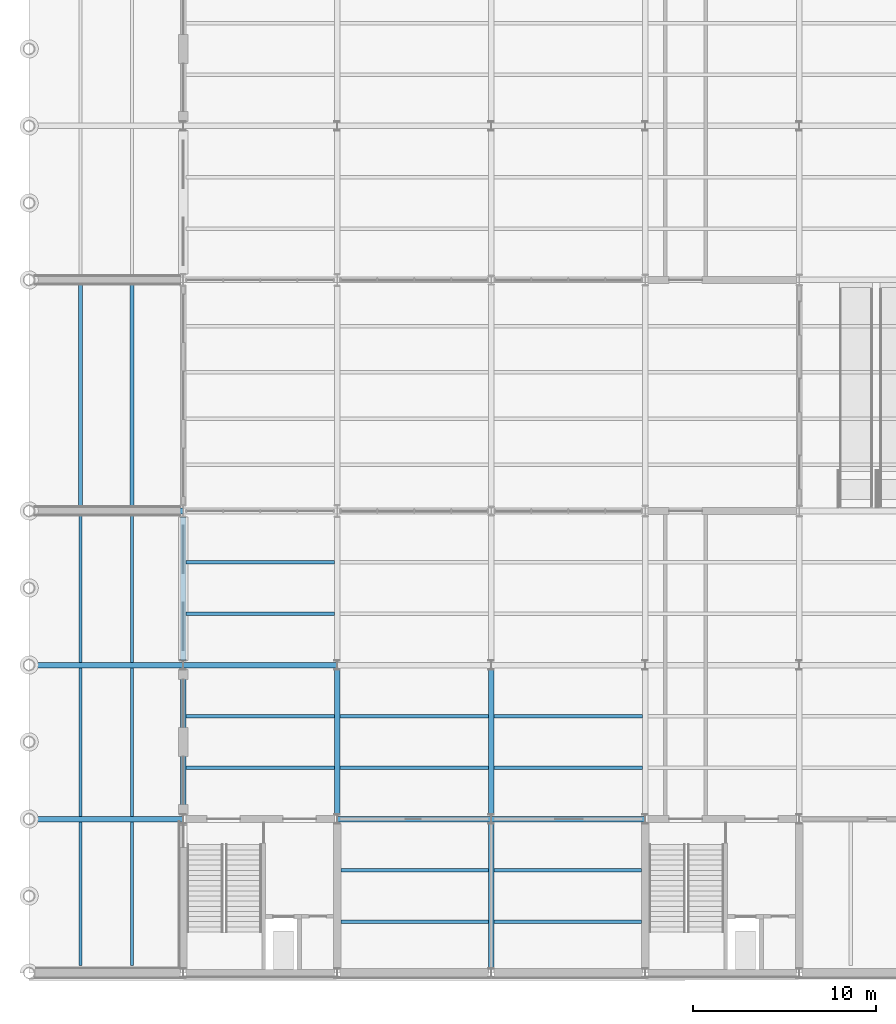
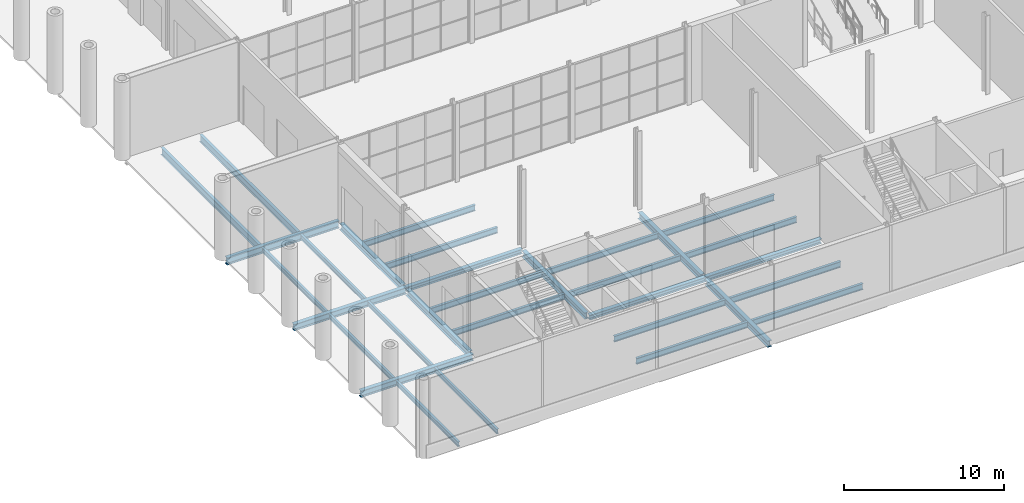
# One storey, part 9 of 55: 31 beams.
"""IFC4 building model written with IfcOpenShell, lengths in metres."""

from ifc_helpers import new_model, si_unit, direction, frame, origin, origin_2d, place, context, subcontext, project, spatial, i_section, extrude, material, material_profile, profile_set, type_object, element, save


model = new_model("IFC4")

# Units and contexts
model_context = context("Model", 3, precision=1e-05, world=origin(), true_north=direction((0.0, 1.0)))
body_context = subcontext(model_context, "Body", "Model", "MODEL_VIEW")
ifc_project = project(units=[si_unit("LENGTHUNIT", "METRE"), si_unit("AREAUNIT", "SQUARE_METRE"), si_unit("VOLUMEUNIT", "CUBIC_METRE"), si_unit("PLANEANGLEUNIT", "RADIAN"), si_unit("MASSUNIT", "GRAM", prefix="KILO")], contexts=[model_context])

# Site, building, storey
site_placement = place(None, origin())
site = spatial("IfcSite", under=ifc_project, at=site_placement, CompositionType="ELEMENT")
building_placement = place(site_placement, origin())
building = spatial("IfcBuilding", under=site, at=building_placement, Name="Galleria Vessillo Department Store", CompositionType="ELEMENT")
storey_placement = place(building_placement, origin())
storey = spatial("IfcBuildingStorey", under=building, at=storey_placement, Name="L00", CompositionType="ELEMENT", Elevation=0.0)

# Beams
ifc_material_1 = material(Name="Steel S355 J2", Category="steel")
ifc_material_profile_1 = material_profile(ifc_material_1, i_section(OverallWidth=0.300048828125, OverallDepth=0.489990234375, WebThickness=0.011962890625, FlangeThickness=0.02294921875, FilletRadius=0.027099609375, at=origin_2d()), Name="HEA 500")
ifc_profile_set_1 = profile_set([ifc_material_profile_1], Name="Steel S355 J2")
beam_type_1 = type_object("IfcBeamType", Name="Floor girder HEA 500", PredefinedType="BEAM", material=ifc_profile_set_1)
for number, where, z_axis, x_axis, name in (
    (1, (0.250244140625, 8.39990234375, -0.39501953125), (1.0, 0.0, 0.0), (0.0, 1.0, 0.0), "S-BM-L00-GI-x8400-250"),
    (2, (0.250244140625, 16.800048828125, -0.39501953125), (1.0, 0.0, 0.0), (0.0, 1.0, 0.0), "S-BM-L00-GI-x16800-250"),
):
    element("IfcBeam", number, at=place(storey_placement, frame(where, z_axis=z_axis, x_axis=x_axis)), inside=storey, type_object=beam_type_1, Name=name, PredefinedType="BEAM", context=body_context, shape_type="SweptSolid", body=[
        extrude(i_section(OverallWidth=0.300048828125, OverallDepth=0.489990234375, WebThickness=0.011962890625, FlangeThickness=0.02294921875, FilletRadius=0.027099609375, at=origin_2d()), origin(), (0.0, 0.0, 1.0), 8.142333984375),
    ])
beam_1_placement = place(storey_placement, frame((8.39990234375, 8.650146484375, -0.39501953125), z_axis=(0.0, 1.0, 0.0), x_axis=(-1.0, 0.0, 0.0)))
element("IfcBeam", 3, at=beam_1_placement, inside=storey, type_object=beam_type_1, Name="S-BM-L00-GI-y8400-8650", PredefinedType="BEAM", context=body_context, shape_type="SweptSolid", body=[
    extrude(i_section(OverallWidth=0.300048828125, OverallDepth=0.489990234375, WebThickness=0.011962890625, FlangeThickness=0.02294921875, FilletRadius=0.027099609375, at=origin_2d()), origin(), (0.0, 0.0, 1.0), 7.899658203125),
])
beam_2_placement = place(storey_placement, frame((8.39990234375, 17.050048828125, -0.39501953125), z_axis=(0.0, 1.0, 0.0), x_axis=(-1.0, 0.0, 0.0)))
element("IfcBeam", 4, at=beam_2_placement, inside=storey, type_object=beam_type_1, Name="S-BM-L00-GI-y8400-17050", PredefinedType="BEAM", context=body_context, shape_type="SweptSolid", body=[
    extrude(i_section(OverallWidth=0.300048828125, OverallDepth=0.489990234375, WebThickness=0.011962890625, FlangeThickness=0.02294921875, FilletRadius=0.027099609375, at=origin_2d()), origin(), (0.0, 0.0, 1.0), 7.81591796875),
])
for number, where, z_axis, x_axis, name in (
    (5, (16.800048828125, 8.650146484375, -0.39501953125), (0.0, 1.0, 0.0), (-1.0, 0.0, 0.0), "S-BM-L00-GI-y16800-8650"),
    (6, (25.199951171875, 0.250244140625, -0.39501953125), (0.0, 1.0, 0.0), (-1.0, 0.0, 0.0), "S-BM-L00-GI-y25200-250"),
    (7, (25.199951171875, 8.650146484375, -0.39501953125), (0.0, 1.0, 0.0), (-1.0, 0.0, 0.0), "S-BM-L00-GI-y25200-8650"),
):
    element("IfcBeam", number, at=place(storey_placement, frame(where, z_axis=z_axis, x_axis=x_axis)), inside=storey, type_object=beam_type_1, Name=name, PredefinedType="BEAM", context=body_context, shape_type="SweptSolid", body=[
        extrude(i_section(OverallWidth=0.300048828125, OverallDepth=0.489990234375, WebThickness=0.011962890625, FlangeThickness=0.02294921875, FilletRadius=0.027099609375, at=origin_2d()), origin(), (0.0, 0.0, 1.0), 7.899658203125),
    ])
ifc_material_2 = material(Name="Steel S355 J2", Category="steel")
ifc_material_profile_2 = material_profile(ifc_material_2, i_section(OverallWidth=0.300048828125, OverallDepth=0.5400390625, WebThickness=0.012451171875, FlangeThickness=0.02392578125, FilletRadius=0.027099609375, at=origin_2d()), Name="HEA 550")
ifc_profile_set_2 = profile_set([ifc_material_profile_2], Name="Steel S355 J2")
beam_type_2 = type_object("IfcBeamType", Name="Floor girder HEA 550", PredefinedType="BEAM", material=ifc_profile_set_2)
beam_3_placement = place(storey_placement, frame((0.250244140625, 25.199951171875, -0.419921875), z_axis=(1.0, 0.0, 0.0), x_axis=(0.0, 1.0, 0.0)))
element("IfcBeam", 8, at=beam_3_placement, inside=storey, type_object=beam_type_2, Name="S-BM-L00-GI-x25200-250", PredefinedType="BEAM", context=body_context, shape_type="SweptSolid", body=[
    extrude(i_section(OverallWidth=0.300048828125, OverallDepth=0.5400390625, WebThickness=0.012451171875, FlangeThickness=0.02392578125, FilletRadius=0.027099609375, at=origin_2d()), origin(), (0.0, 0.0, 1.0), 8.13916015625),
])
ifc_material_3 = material(Name="Steel S355 J2", Category="steel")
ifc_material_profile_3 = material_profile(ifc_material_3, i_section(OverallWidth=0.169921875, OverallDepth=0.360107421875, WebThickness=0.008056640625, FlangeThickness=0.0126953125, FilletRadius=0.01806640625, at=origin_2d()), Name="IPE 360")
ifc_profile_set_3 = profile_set([ifc_material_profile_3], Name="Steel S355 J2")
beam_type_3 = type_object("IfcBeamType", Name="Floor joist IPE 360", PredefinedType="JOIST", material=ifc_profile_set_3)
for number, where, z_axis, x_axis, name in (
    (9, (2.800048828125, 0.400146484375, -0.329833984375), (0.0, 1.0, 0.0), (-1.0, 0.0, 0.0), "S-BM-L00-JO-y2800-400"),
    (10, (5.60009765625, 0.400146484375, -0.329833984375), (0.0, 1.0, 0.0), (-1.0, 0.0, 0.0), "S-BM-L00-JO-y5600-400"),
):
    element("IfcBeam", number, at=place(storey_placement, frame(where, z_axis=z_axis, x_axis=x_axis)), inside=storey, type_object=beam_type_3, Name=name, PredefinedType="JOIST", context=body_context, shape_type="SweptSolid", body=[
        extrude(i_section(OverallWidth=0.169921875, OverallDepth=0.360107421875, WebThickness=0.008056640625, FlangeThickness=0.0126953125, FilletRadius=0.01806640625, at=origin_2d()), origin(), (0.0, 0.0, 1.0), 7.849609375),
    ])
for number, where, z_axis, x_axis, name in (
    (11, (2.800048828125, 8.550048828125, -0.329833984375), (0.0, 1.0, 0.0), (-1.0, 0.0, 0.0), "S-BM-L00-JO-y2800-8550"),
    (12, (5.60009765625, 8.550048828125, -0.329833984375), (0.0, 1.0, 0.0), (-1.0, 0.0, 0.0), "S-BM-L00-JO-y5600-8550"),
):
    element("IfcBeam", number, at=place(storey_placement, frame(where, z_axis=z_axis, x_axis=x_axis)), inside=storey, type_object=beam_type_3, Name=name, PredefinedType="JOIST", context=body_context, shape_type="SweptSolid", body=[
        extrude(i_section(OverallWidth=0.169921875, OverallDepth=0.360107421875, WebThickness=0.008056640625, FlangeThickness=0.0126953125, FilletRadius=0.01806640625, at=origin_2d()), origin(), (0.0, 0.0, 1.0), 8.099853515625),
    ])
for number, where, z_axis, x_axis, name in (
    (13, (2.800048828125, 16.9501953125, -0.329833984375), (0.0, 1.0, 0.0), (-1.0, 0.0, 0.0), "S-BM-L00-JO-y2800-16950"),
    (14, (5.60009765625, 16.9501953125, -0.329833984375), (0.0, 1.0, 0.0), (-1.0, 0.0, 0.0), "S-BM-L00-JO-y5600-16950"),
):
    element("IfcBeam", number, at=place(storey_placement, frame(where, z_axis=z_axis, x_axis=x_axis)), inside=storey, type_object=beam_type_3, Name=name, PredefinedType="JOIST", context=body_context, shape_type="SweptSolid", body=[
        extrude(i_section(OverallWidth=0.169921875, OverallDepth=0.360107421875, WebThickness=0.008056640625, FlangeThickness=0.0126953125, FilletRadius=0.01806640625, at=origin_2d()), origin(), (0.0, 0.0, 1.0), 8.099609375),
    ])
ifc_material_4 = material(Name="Steel S355 J2", Category="steel")
ifc_material_profile_4 = material_profile(ifc_material_4, i_section(OverallWidth=0.18994140625, OverallDepth=0.449951171875, WebThickness=0.009521484375, FlangeThickness=0.0146484375, FilletRadius=0.02099609375, at=origin_2d()), Name="IPE 450")
ifc_profile_set_4 = profile_set([ifc_material_profile_4], Name="Steel S355 J2")
beam_type_4 = type_object("IfcBeamType", Name="Floor joist IPE 450", PredefinedType="JOIST", material=ifc_profile_set_4)
for number, where, z_axis, x_axis, name in (
    (15, (8.550048828125, 11.199951171875, -0.375), (1.0, 0.0, 0.0), (0.0, 1.0, 0.0), "S-BM-L00-JO-x11200-8550"),
    (16, (8.550048828125, 14.0, -0.375), (1.0, 0.0, 0.0), (0.0, 1.0, 0.0), "S-BM-L00-JO-x14000-8550"),
    (17, (8.550048828125, 19.60009765625, -0.375), (1.0, 0.0, 0.0), (0.0, 1.0, 0.0), "S-BM-L00-JO-x19600-8550"),
    (18, (8.550048828125, 22.39990234375, -0.375), (1.0, 0.0, 0.0), (0.0, 1.0, 0.0), "S-BM-L00-JO-x22400-8550"),
):
    element("IfcBeam", number, at=place(storey_placement, frame(where, z_axis=z_axis, x_axis=x_axis)), inside=storey, type_object=beam_type_4, Name=name, PredefinedType="JOIST", context=body_context, shape_type="SweptSolid", body=[
        extrude(i_section(OverallWidth=0.18994140625, OverallDepth=0.449951171875, WebThickness=0.009521484375, FlangeThickness=0.0146484375, FilletRadius=0.02099609375, at=origin_2d()), origin(), (0.0, 0.0, 1.0), 8.099853515625),
    ])
for number, where, z_axis, x_axis, name in (
    (19, (17.000244140625, 2.800048828125, -0.375), (1.0, 0.0, 0.0), (0.0, 1.0, 0.0), "S-BM-L00-JO-x2800-17000"),
    (20, (17.000244140625, 5.60009765625, -0.375), (1.0, 0.0, 0.0), (0.0, 1.0, 0.0), "S-BM-L00-JO-x5600-17000"),
):
    element("IfcBeam", number, at=place(storey_placement, frame(where, z_axis=z_axis, x_axis=x_axis)), inside=storey, type_object=beam_type_4, Name=name, PredefinedType="JOIST", context=body_context, shape_type="SweptSolid", body=[
        extrude(i_section(OverallWidth=0.18994140625, OverallDepth=0.449951171875, WebThickness=0.009521484375, FlangeThickness=0.0146484375, FilletRadius=0.02099609375, at=origin_2d()), origin(), (0.0, 0.0, 1.0), 8.049560546875),
    ])
for number, where, z_axis, x_axis, name in (
    (21, (16.9501953125, 11.199951171875, -0.375), (1.0, 0.0, 0.0), (0.0, 1.0, 0.0), "S-BM-L00-JO-x11200-16950"),
    (22, (16.9501953125, 14.0, -0.375), (1.0, 0.0, 0.0), (0.0, 1.0, 0.0), "S-BM-L00-JO-x14000-16950"),
):
    element("IfcBeam", number, at=place(storey_placement, frame(where, z_axis=z_axis, x_axis=x_axis)), inside=storey, type_object=beam_type_4, Name=name, PredefinedType="JOIST", context=body_context, shape_type="SweptSolid", body=[
        extrude(i_section(OverallWidth=0.18994140625, OverallDepth=0.449951171875, WebThickness=0.009521484375, FlangeThickness=0.0146484375, FilletRadius=0.02099609375, at=origin_2d()), origin(), (0.0, 0.0, 1.0), 8.099609375),
    ])
for number, where, z_axis, x_axis, name in (
    (23, (25.35009765625, 2.800048828125, -0.375), (1.0, 0.0, 0.0), (0.0, 1.0, 0.0), "S-BM-L00-JO-x2800-25350"),
    (24, (25.35009765625, 5.60009765625, -0.375), (1.0, 0.0, 0.0), (0.0, 1.0, 0.0), "S-BM-L00-JO-x5600-25350"),
):
    element("IfcBeam", number, at=place(storey_placement, frame(where, z_axis=z_axis, x_axis=x_axis)), inside=storey, type_object=beam_type_4, Name=name, PredefinedType="JOIST", context=body_context, shape_type="SweptSolid", body=[
        extrude(i_section(OverallWidth=0.18994140625, OverallDepth=0.449951171875, WebThickness=0.009521484375, FlangeThickness=0.0146484375, FilletRadius=0.02099609375, at=origin_2d()), origin(), (0.0, 0.0, 1.0), 8.0498046875),
    ])
for number, where, z_axis, x_axis, name in (
    (25, (25.35009765625, 11.199951171875, -0.375), (1.0, 0.0, 0.0), (0.0, 1.0, 0.0), "S-BM-L00-JO-x11200-25350"),
    (26, (25.35009765625, 14.0, -0.375), (1.0, 0.0, 0.0), (0.0, 1.0, 0.0), "S-BM-L00-JO-x14000-25350"),
):
    element("IfcBeam", number, at=place(storey_placement, frame(where, z_axis=z_axis, x_axis=x_axis)), inside=storey, type_object=beam_type_4, Name=name, PredefinedType="JOIST", context=body_context, shape_type="SweptSolid", body=[
        extrude(i_section(OverallWidth=0.18994140625, OverallDepth=0.449951171875, WebThickness=0.009521484375, FlangeThickness=0.0146484375, FilletRadius=0.02099609375, at=origin_2d()), origin(), (0.0, 0.0, 1.0), 8.099853515625),
    ])
ifc_material_5 = material(Name="Steel S355 J2", Category="steel")
ifc_material_profile_5 = material_profile(ifc_material_5, i_section(OverallWidth=0.2099609375, OverallDepth=0.550048828125, WebThickness=0.010986328125, FlangeThickness=0.01708984375, FilletRadius=0.02392578125, at=origin_2d()), Name="IPE 550")
ifc_profile_set_5 = profile_set([ifc_material_profile_5], Name="Steel S355 J2")
beam_type_5 = type_object("IfcBeamType", Name="Floor joist IPE 550", PredefinedType="JOIST", material=ifc_profile_set_5)
for number, where, z_axis, x_axis, name in (
    (27, (2.800048828125, 25.35009765625, -0.4248046875), (0.0, 1.0, 0.0), (-1.0, 0.0, 0.0), "S-BM-L00-JO-y2800-25350"),
    (28, (5.60009765625, 25.35009765625, -0.4248046875), (0.0, 1.0, 0.0), (-1.0, 0.0, 0.0), "S-BM-L00-JO-y5600-25350"),
):
    element("IfcBeam", number, at=place(storey_placement, frame(where, z_axis=z_axis, x_axis=x_axis)), inside=storey, type_object=beam_type_5, Name=name, PredefinedType="JOIST", context=body_context, shape_type="SweptSolid", body=[
        extrude(i_section(OverallWidth=0.2099609375, OverallDepth=0.550048828125, WebThickness=0.010986328125, FlangeThickness=0.01708984375, FilletRadius=0.02392578125, at=origin_2d()), origin(), (0.0, 0.0, 1.0), 12.2998046875),
    ])
ifc_material_6 = material(Name="Steel S355 J2", Category="steel")
ifc_material_profile_6 = material_profile(ifc_material_6, i_section(OverallWidth=0.300048828125, OverallDepth=0.35009765625, WebThickness=0.010009765625, FlangeThickness=0.017578125, FilletRadius=0.027099609375, at=origin_2d()), Name="HEA 360")
ifc_profile_set_6 = profile_set([ifc_material_profile_6], Name="Steel S355 J2")
beam_type_6 = type_object("IfcBeamType", Name="Floor tie girder HEA 360", PredefinedType="BEAM", material=ifc_profile_set_6)
for number, where, z_axis, x_axis, name in (
    (29, (16.807373046875, 8.39990234375, -0.324951171875), (1.0, 0.0, 0.0), (0.0, 1.0, 0.0), "S-BM-L00-TI-x8400-16807"),
    (30, (25.207275390625, 8.39990234375, -0.324951171875), (1.0, 0.0, 0.0), (0.0, 1.0, 0.0), "S-BM-L00-TI-x8400-25207"),
    (31, (8.407470703125, 16.800048828125, -0.324951171875), (1.0, 0.0, 0.0), (0.0, 1.0, 0.0), "S-BM-L00-TI-x16800-8407"),
):
    element("IfcBeam", number, at=place(storey_placement, frame(where, z_axis=z_axis, x_axis=x_axis)), inside=storey, type_object=beam_type_6, Name=name, PredefinedType="BEAM", context=body_context, shape_type="SweptSolid", body=[
        extrude(i_section(OverallWidth=0.300048828125, OverallDepth=0.35009765625, WebThickness=0.010009765625, FlangeThickness=0.017578125, FilletRadius=0.027099609375, at=origin_2d()), origin(), (0.0, 0.0, 1.0), 8.38525390625),
    ])

save(model, "model.ifc")
